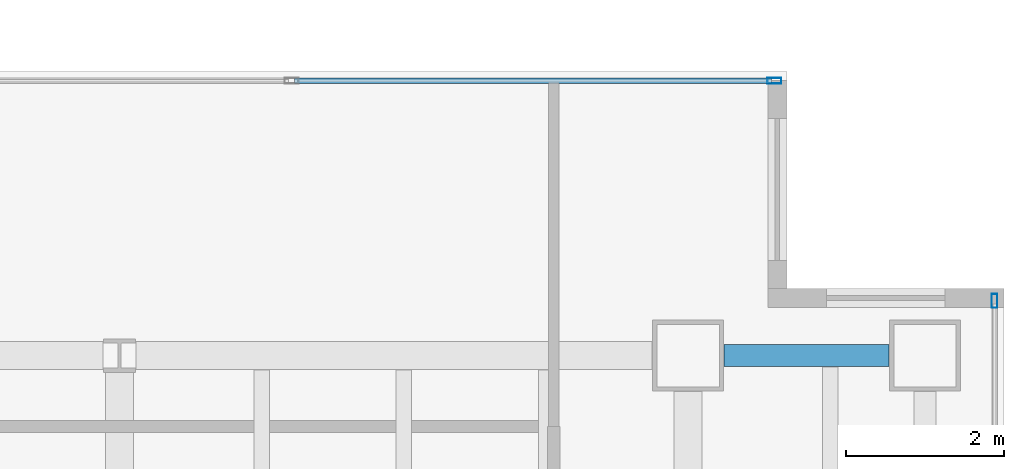
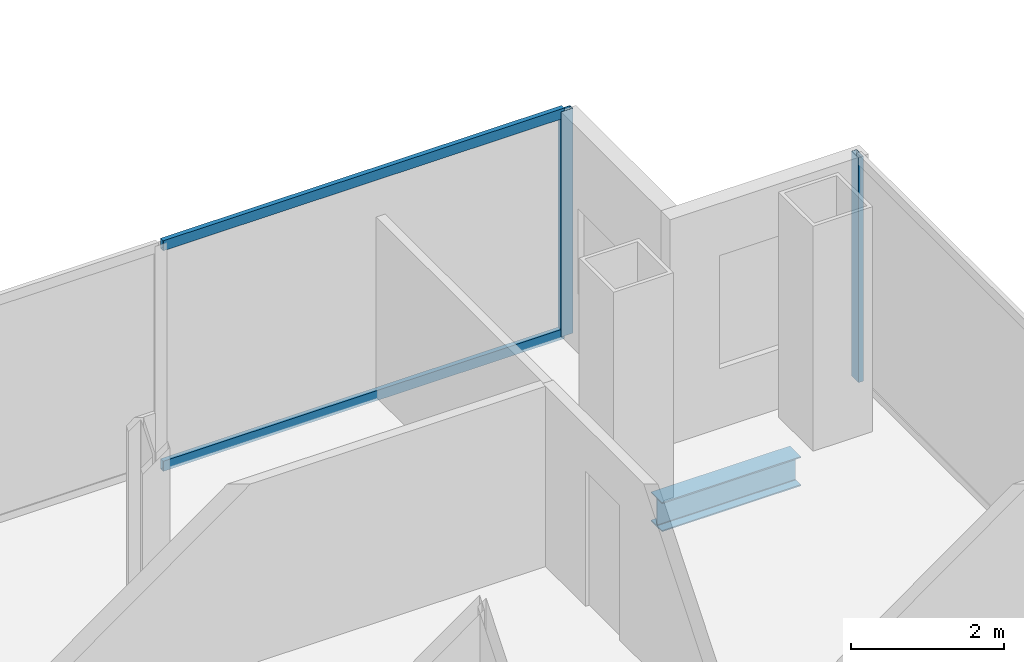
# One storey, part 15 of 24: 4 members, 1 beam, 2 elements without a shape of their own.
"""IFC4 building model written with IfcOpenShell, lengths in metres."""

from ifc_helpers import new_model, si_unit, direction, frame, origin, origin_2d, place, context, subcontext, project, spatial, hollow_rectangle, i_section, extrude, material, material_profile, profile_set, type_object, element, aggregate, save


model = new_model("IFC4")

# Units and contexts
model_context = context("Model", 3, precision=1e-05, world=origin(), true_north=direction((0.0, 1.0)))
body_context = subcontext(model_context, "Body", "Model", "MODEL_VIEW")
ifc_project = project(units=[si_unit("LENGTHUNIT", "METRE"), si_unit("AREAUNIT", "SQUARE_METRE"), si_unit("VOLUMEUNIT", "CUBIC_METRE"), si_unit("PLANEANGLEUNIT", "RADIAN"), si_unit("MASSUNIT", "GRAM", prefix="KILO")], contexts=[model_context])

# Site, building, storey
site_placement = place(None, origin())
site = spatial("IfcSite", under=ifc_project, at=site_placement, CompositionType="ELEMENT")
building_placement = place(site_placement, origin())
building = spatial("IfcBuilding", under=site, at=building_placement, Name="Cobrela Telecom Tower", CompositionType="ELEMENT")
storey_placement = place(building_placement, frame((0.0, 0.0, 121.449951171875)))
storey = spatial("IfcBuildingStorey", under=building, at=storey_placement, Name="L30", CompositionType="ELEMENT", Elevation=121.449951171875)

# Beam
ifc_material_1 = material(Name="Steel ASTM A992 Grade 50", Category="steel")
ifc_material_profile_1 = material_profile(ifc_material_1, i_section(OverallWidth=0.281982421875, OverallDepth=0.467041015625, WebThickness=0.01220703125, FlangeThickness=0.01953125, FilletRadius=0.012939453125, at=origin_2d()), Name="W18X86")
ifc_profile_set_1 = profile_set([ifc_material_profile_1], Name="Steel ASTM A992 Grade 50")
beam_type = type_object("IfcBeamType", Name="BM-SPAND-04", PredefinedType="SPANDREL", material=ifc_profile_set_1)
beam_placement = place(storey_placement, frame((43.655029296875, 21.60009765625, -0.50341796875), z_axis=(1.0, 0.0, 0.0), x_axis=(0.0, 1.0, 0.0)))
element("IfcBeam", 1, at=beam_placement, inside=storey, type_object=beam_type, Name="L30 Perimeter Spandrel X22", PredefinedType="SPANDREL", context=body_context, shape_type="SweptSolid", body=[
    extrude(i_section(OverallWidth=0.281982421875, OverallDepth=0.467041015625, WebThickness=0.01220703125, FlangeThickness=0.01953125, FilletRadius=0.012939453125, at=origin_2d()), origin(), (0.0, 0.0, 1.0), 2.090087890625),
])

# Curtain wall, member
ifc_material_2 = material(Name="Anodized Bronze Aluminium 6063-T6", Category="aluminium")
curtain_wall_type = type_object("IfcCurtainWallType", Name="CW-SYS-TEL", PredefinedType="USERDEFINED", material=ifc_material_2)
curtain_wall_1_placement = place(storey_placement, origin())
curtain_wall_1 = element("IfcCurtainWall", 2, at=curtain_wall_1_placement, inside=storey, type_object=curtain_wall_type, Name="L30 Unitised Bronze Curtain Wall 11", ObjectType="UNITISED CURTAIN WALL", PredefinedType="USERDEFINED")
ifc_material_profile_2 = material_profile(ifc_material_2, hollow_rectangle(XDim=0.074951171875, YDim=0.179931640625, WallThickness=0.00390625, at=origin_2d()), Name="ALU 75x180x4")
ifc_profile_set_2 = profile_set([ifc_material_profile_2], Name="Anodized Bronze Aluminium 6063-T6")
member_type_1 = type_object("IfcMemberType", Name="CW-SYS-TEL-MUL", PredefinedType="MULLION", material=ifc_profile_set_2)
member_1_placement = place(storey_placement, frame((44.29248046875, 25.080078125, 0.0), z_axis=(0.0, 0.0, 1.0), x_axis=(0.0, 1.0, 0.0)))
member_1 = element("IfcMember", 3, at=member_1_placement, type_object=member_type_1, Name="CW-TEL mullion 4", PredefinedType="MULLION", context=body_context, shape_type="SweptSolid", body=[
    extrude(hollow_rectangle(XDim=0.074951171875, YDim=0.179931640625, WallThickness=0.00390625, at=origin_2d()), origin(), (0.0, 0.0, 1.0), 3.580078125),
])

curtain_wall_2_placement = place(storey_placement, origin())
curtain_wall_2 = element("IfcCurtainWall", 4, at=curtain_wall_2_placement, inside=storey, type_object=curtain_wall_type, Name="L30 Unitised Bronze Curtain Wall 14", ObjectType="UNITISED CURTAIN WALL", PredefinedType="USERDEFINED")
member_2_placement = place(storey_placement, frame((47.080078125, 22.29248046875, 0.0), z_axis=(0.0, 0.0, 1.0), x_axis=(1.0, 0.0, 0.0)))
member_2 = element("IfcMember", 5, at=member_2_placement, type_object=member_type_1, Name="CW-TEL mullion 1", PredefinedType="MULLION", context=body_context, shape_type="SweptSolid", body=[
    extrude(hollow_rectangle(XDim=0.074951171875, YDim=0.179931640625, WallThickness=0.00390625, at=origin_2d()), origin(), (0.0, 0.0, 1.0), 3.580078125),
])
aggregate(curtain_wall_2, [member_2])

# Member
ifc_material_profile_3 = material_profile(ifc_material_2, hollow_rectangle(XDim=0.070068359375, YDim=0.159912109375, WallThickness=0.00390625, at=origin_2d()), Name="ALU 70x160x4")
ifc_profile_set_3 = profile_set([ifc_material_profile_3], Name="Anodized Bronze Aluminium 6063-T6")
member_type_2 = type_object("IfcMemberType", Name="CW-SYS-TEL-TRN", PredefinedType="USERDEFINED", material=ifc_profile_set_3)
member_3_placement = place(storey_placement, frame((38.217529296875, 25.080078125, 0.03515625), z_axis=(1.0, 0.0, 0.0), x_axis=(0.0, 1.0, 0.0)))
member_3 = element("IfcMember", 6, at=member_3_placement, type_object=member_type_2, Name="CW-TEL transom 3.1", ObjectType="TRANSOM", PredefinedType="USERDEFINED", context=body_context, shape_type="SweptSolid", body=[
    extrude(hollow_rectangle(XDim=0.070068359375, YDim=0.159912109375, WallThickness=0.00390625, at=origin_2d()), origin(), (0.0, 0.0, 1.0), 6.037353515625),
])

member_4_placement = place(storey_placement, frame((38.217529296875, 25.080078125, 3.545166015625), z_axis=(1.0, 0.0, 0.0), x_axis=(0.0, 1.0, 0.0)))
member_4 = element("IfcMember", 7, at=member_4_placement, type_object=member_type_2, Name="CW-TEL transom 3.2", ObjectType="TRANSOM", PredefinedType="USERDEFINED", context=body_context, shape_type="SweptSolid", body=[
    extrude(hollow_rectangle(XDim=0.070068359375, YDim=0.159912109375, WallThickness=0.00390625, at=origin_2d()), origin(), (0.0, 0.0, 1.0), 6.037353515625),
])

aggregate(curtain_wall_1, [member_1, member_3, member_4])

save(model, "model.ifc")
